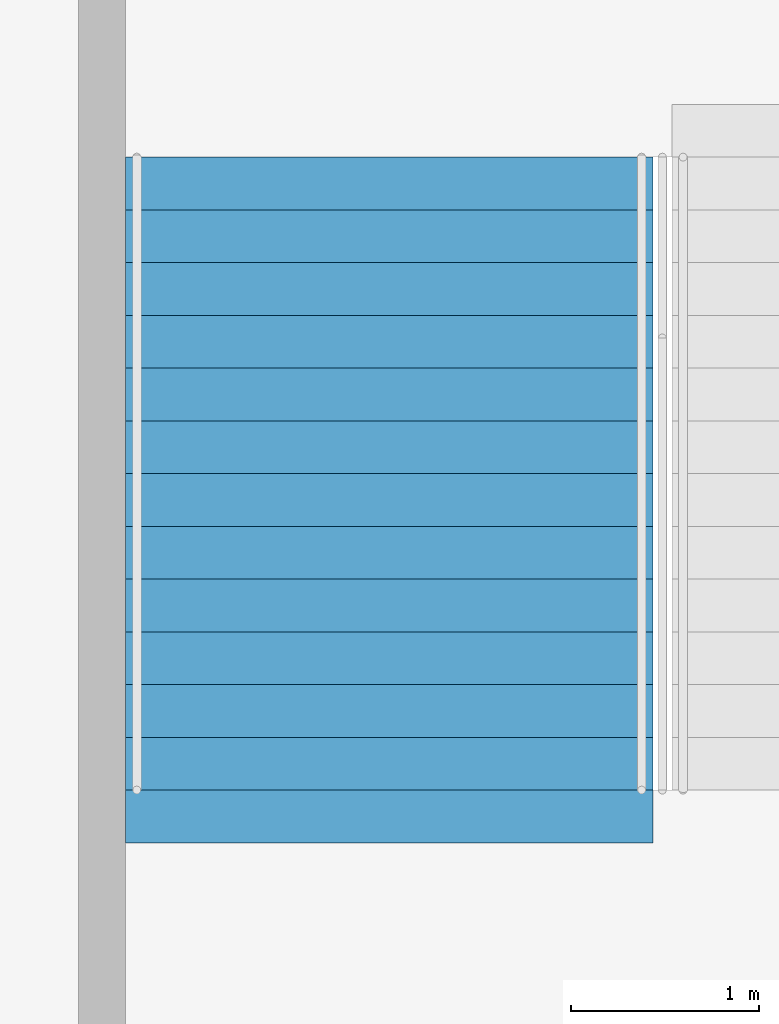
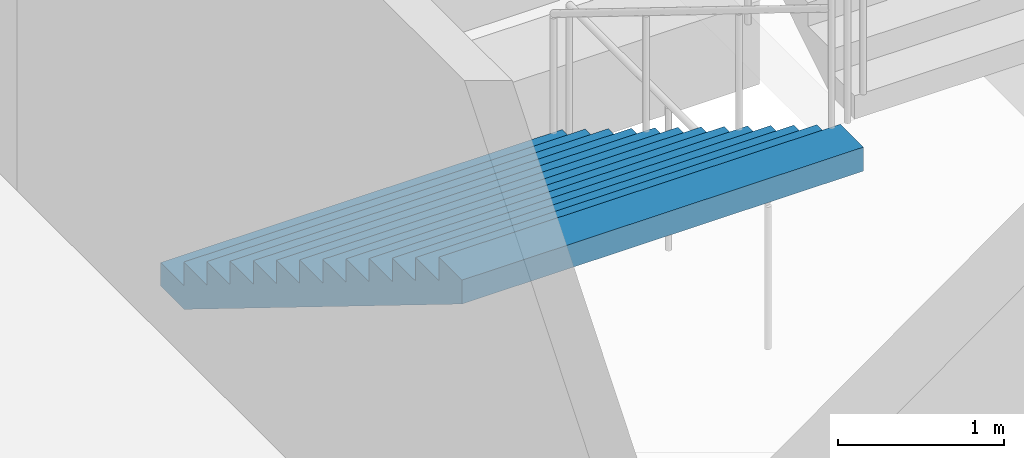
# One storey, part 51 of 175: 1 stair flight, 1 element without a shape of its own.
"""IFC4 building model written with IfcOpenShell, lengths in metres."""

from ifc_helpers import new_model, si_unit, direction, frame, origin, place, context, subcontext, project, spatial, faceted_brep, material, type_object, element, aggregate, save


model = new_model("IFC4")

# Units and contexts
model_context = context("Model", 3, precision=1e-05, world=origin(), true_north=direction((0.0, 1.0)))
body_context = subcontext(model_context, "Body", "Model", "MODEL_VIEW")
ifc_project = project(units=[si_unit("LENGTHUNIT", "METRE"), si_unit("AREAUNIT", "SQUARE_METRE"), si_unit("VOLUMEUNIT", "CUBIC_METRE"), si_unit("PLANEANGLEUNIT", "RADIAN"), si_unit("MASSUNIT", "GRAM", prefix="KILO")], contexts=[model_context])

# Site, building, storey
site_placement = place(None, origin())
site = spatial("IfcSite", under=ifc_project, at=site_placement, CompositionType="ELEMENT")
building_placement = place(site_placement, origin())
building = spatial("IfcBuilding", under=site, at=building_placement, Name="Ogive Plaza Stadium", CompositionType="ELEMENT")
storey_placement = place(building_placement, origin())
storey = spatial("IfcBuildingStorey", under=building, at=storey_placement, Name="L00", CompositionType="ELEMENT", Elevation=0.0)

# Stair, stair flight
ifc_material_1 = material(Name="Concrete C40/50", Category="concrete")
stair_type = type_object("IfcStairType", Name="Exit stair", PredefinedType="STRAIGHT_RUN_STAIR", material=ifc_material_1)
stair_placement = place(storey_placement, origin())
stair = element("IfcStair", 1, at=stair_placement, inside=storey, type_object=stair_type, Name="Exit stair ST16A L00 to L01", PredefinedType="STRAIGHT_RUN_STAIR")
ifc_material_2 = material(Name="Concrete C40/50", Category="concrete")
stair_flight_type = type_object("IfcStairFlightType", Name="Exit stair flight", PredefinedType="STRAIGHT", material=ifc_material_2)
stair_flight_placement = place(storey_placement, frame((-24.824951171875, -94.85009765625, 0.0), z_axis=(0.0, 0.0, 1.0), x_axis=(0.0, -1.0, 0.0)))
stair_flight = element("IfcStairFlight", 2, at=stair_flight_placement, type_object=stair_flight_type, Name="ST16A flight 1", NumberOfRisers=13, NumberOfTreads=12, PredefinedType="STRAIGHT", RiserHeight=0.173076923, TreadLength=0.28, context=body_context, shape_type="Brep", body=[
    faceted_brep([(0.28515625, -1.39990234375, 0.0), (3.639892578125, -1.39990234375, 2.07373046875), (3.639892578125, -1.39990234375, 2.25), (3.360107421875, -1.39990234375, 2.25), (3.360107421875, -1.39990234375, 2.076904296875), (3.080078125, -1.39990234375, 2.076904296875), (3.080078125, -1.39990234375, 1.90380859375), (2.800048828125, -1.39990234375, 1.90380859375), (2.800048828125, -1.39990234375, 1.730712890625), (2.52001953125, -1.39990234375, 1.730712890625), (2.52001953125, -1.39990234375, 1.5576171875), (2.239990234375, -1.39990234375, 1.5576171875), (2.239990234375, -1.39990234375, 1.384521484375), (1.9599609375, -1.39990234375, 1.384521484375), (1.9599609375, -1.39990234375, 1.21142578125), (1.679931640625, -1.39990234375, 1.21142578125), (1.679931640625, -1.39990234375, 1.03857421875), (1.39990234375, -1.39990234375, 1.03857421875), (1.39990234375, -1.39990234375, 0.865478515625), (1.1201171875, -1.39990234375, 0.865478515625), (1.1201171875, -1.39990234375, 0.6923828125), (0.840087890625, -1.39990234375, 0.6923828125), (0.840087890625, -1.39990234375, 0.519287109375), (0.56005859375, -1.39990234375, 0.519287109375), (0.56005859375, -1.39990234375, 0.34619140625), (0.280029296875, -1.39990234375, 0.34619140625), (0.280029296875, -1.39990234375, 0.173095703125), (0.0, -1.39990234375, 0.173095703125), (0.0, -1.39990234375, 0.0), (0.0, 1.39990234375, 0.0), (0.0, 1.39990234375, 0.173095703125), (0.280029296875, 1.39990234375, 0.173095703125), (0.280029296875, 1.39990234375, 0.34619140625), (0.56005859375, 1.39990234375, 0.34619140625), (0.56005859375, 1.39990234375, 0.519287109375), (0.840087890625, 1.39990234375, 0.519287109375), (0.840087890625, 1.39990234375, 0.6923828125), (1.1201171875, 1.39990234375, 0.6923828125), (1.1201171875, 1.39990234375, 0.865478515625), (1.39990234375, 1.39990234375, 0.865478515625), (1.39990234375, 1.39990234375, 1.03857421875), (1.679931640625, 1.39990234375, 1.03857421875), (1.679931640625, 1.39990234375, 1.21142578125), (1.9599609375, 1.39990234375, 1.21142578125), (1.9599609375, 1.39990234375, 1.384521484375), (2.239990234375, 1.39990234375, 1.384521484375), (2.239990234375, 1.39990234375, 1.5576171875), (2.52001953125, 1.39990234375, 1.5576171875), (2.52001953125, 1.39990234375, 1.730712890625), (2.800048828125, 1.39990234375, 1.730712890625), (2.800048828125, 1.39990234375, 1.90380859375), (3.080078125, 1.39990234375, 1.90380859375), (3.080078125, 1.39990234375, 2.076904296875), (3.360107421875, 1.39990234375, 2.076904296875), (3.360107421875, 1.39990234375, 2.25), (3.639892578125, 1.39990234375, 2.25), (3.639892578125, 1.39990234375, 2.07373046875), (0.28515625, 1.39990234375, 0.0), (0.28515625, -1.0888671875, 0.0), (3.639892578125, -1.0888671875, 2.07373046875), (0.28515625, -0.77783203125, 0.0), (3.639892578125, -0.77783203125, 2.07373046875), (0.28515625, -0.466796875, 0.0), (3.639892578125, -0.466796875, 2.07373046875), (0.28515625, -0.155517578125, 0.0), (3.639892578125, -0.155517578125, 2.07373046875), (0.28515625, 0.155517578125, 0.0), (3.639892578125, 0.155517578125, 2.07373046875), (0.28515625, 0.466796875, 0.0), (3.639892578125, 0.466796875, 2.07373046875), (0.28515625, 0.77783203125, 0.0), (3.639892578125, 0.77783203125, 2.07373046875), (0.28515625, 1.0888671875, 0.0), (3.639892578125, 1.0888671875, 2.07373046875), (3.639892578125, -1.0888671875, 2.25), (3.639892578125, -0.77783203125, 2.25), (3.639892578125, -0.466796875, 2.25), (3.639892578125, -0.155517578125, 2.25), (3.639892578125, 0.155517578125, 2.25), (3.639892578125, 0.466796875, 2.25), (3.639892578125, 0.77783203125, 2.25), (3.639892578125, 1.0888671875, 2.25), (3.360107421875, -1.0888671875, 2.25), (3.360107421875, -0.77783203125, 2.25), (3.360107421875, -0.466796875, 2.25), (3.360107421875, -0.155517578125, 2.25), (3.360107421875, 0.155517578125, 2.25), (3.360107421875, 0.466796875, 2.25), (3.360107421875, 0.77783203125, 2.25), (3.360107421875, 1.0888671875, 2.25), (3.360107421875, -1.0888671875, 2.076904296875), (3.360107421875, -0.77783203125, 2.076904296875), (3.360107421875, -0.466796875, 2.076904296875), (3.360107421875, -0.155517578125, 2.076904296875), (3.360107421875, 0.155517578125, 2.076904296875), (3.360107421875, 0.466796875, 2.076904296875), (3.360107421875, 0.77783203125, 2.076904296875), (3.360107421875, 1.0888671875, 2.076904296875), (3.080078125, -1.0888671875, 2.076904296875), (3.080078125, -0.77783203125, 2.076904296875), (3.080078125, -0.466796875, 2.076904296875), (3.080078125, -0.155517578125, 2.076904296875), (3.080078125, 0.155517578125, 2.076904296875), (3.080078125, 0.466796875, 2.076904296875), (3.080078125, 0.77783203125, 2.076904296875), (3.080078125, 1.0888671875, 2.076904296875), (3.080078125, -1.0888671875, 1.90380859375), (3.080078125, -0.77783203125, 1.90380859375), (3.080078125, -0.466796875, 1.90380859375), (3.080078125, -0.155517578125, 1.90380859375), (3.080078125, 0.155517578125, 1.90380859375), (3.080078125, 0.466796875, 1.90380859375), (3.080078125, 0.77783203125, 1.90380859375), (3.080078125, 1.0888671875, 1.90380859375), (2.800048828125, -1.0888671875, 1.90380859375), (2.800048828125, -0.77783203125, 1.90380859375), (2.800048828125, -0.466796875, 1.90380859375), (2.800048828125, -0.155517578125, 1.90380859375), (2.800048828125, 0.155517578125, 1.90380859375), (2.800048828125, 0.466796875, 1.90380859375), (2.800048828125, 0.77783203125, 1.90380859375), (2.800048828125, 1.0888671875, 1.90380859375), (2.800048828125, -1.0888671875, 1.730712890625), (2.800048828125, -0.77783203125, 1.730712890625), (2.800048828125, -0.466796875, 1.730712890625), (2.800048828125, -0.155517578125, 1.730712890625), (2.800048828125, 0.155517578125, 1.730712890625), (2.800048828125, 0.466796875, 1.730712890625), (2.800048828125, 0.77783203125, 1.730712890625), (2.800048828125, 1.0888671875, 1.730712890625), (2.52001953125, -1.0888671875, 1.730712890625), (2.52001953125, -0.77783203125, 1.730712890625), (2.52001953125, -0.466796875, 1.730712890625), (2.52001953125, -0.155517578125, 1.730712890625), (2.52001953125, 0.155517578125, 1.730712890625), (2.52001953125, 0.466796875, 1.730712890625), (2.52001953125, 0.77783203125, 1.730712890625), (2.52001953125, 1.0888671875, 1.730712890625), (2.52001953125, -1.0888671875, 1.5576171875), (2.52001953125, -0.77783203125, 1.5576171875), (2.52001953125, -0.466796875, 1.5576171875), (2.52001953125, -0.155517578125, 1.5576171875), (2.52001953125, 0.155517578125, 1.5576171875), (2.52001953125, 0.466796875, 1.5576171875), (2.52001953125, 0.77783203125, 1.5576171875), (2.52001953125, 1.0888671875, 1.5576171875), (2.239990234375, -1.0888671875, 1.5576171875), (2.239990234375, -0.77783203125, 1.5576171875), (2.239990234375, -0.466796875, 1.5576171875), (2.239990234375, -0.155517578125, 1.5576171875), (2.239990234375, 0.155517578125, 1.5576171875), (2.239990234375, 0.466796875, 1.5576171875), (2.239990234375, 0.77783203125, 1.5576171875), (2.239990234375, 1.0888671875, 1.5576171875), (2.239990234375, -1.0888671875, 1.384521484375), (2.239990234375, -0.77783203125, 1.384521484375), (2.239990234375, -0.466796875, 1.384521484375), (2.239990234375, -0.155517578125, 1.384521484375), (2.239990234375, 0.155517578125, 1.384521484375), (2.239990234375, 0.466796875, 1.384521484375), (2.239990234375, 0.77783203125, 1.384521484375), (2.239990234375, 1.0888671875, 1.384521484375), (1.9599609375, -1.0888671875, 1.384521484375), (1.9599609375, -0.77783203125, 1.384521484375), (1.9599609375, -0.466796875, 1.384521484375), (1.9599609375, -0.155517578125, 1.384521484375), (1.9599609375, 0.155517578125, 1.384521484375), (1.9599609375, 0.466796875, 1.384521484375), (1.9599609375, 0.77783203125, 1.384521484375), (1.9599609375, 1.0888671875, 1.384521484375), (1.9599609375, -1.0888671875, 1.21142578125), (1.9599609375, -0.77783203125, 1.21142578125), (1.9599609375, -0.466796875, 1.21142578125), (1.9599609375, -0.155517578125, 1.21142578125), (1.9599609375, 0.155517578125, 1.21142578125), (1.9599609375, 0.466796875, 1.21142578125), (1.9599609375, 0.77783203125, 1.21142578125), (1.9599609375, 1.0888671875, 1.21142578125), (1.679931640625, -1.0888671875, 1.21142578125), (1.679931640625, -0.77783203125, 1.21142578125), (1.679931640625, -0.466796875, 1.21142578125), (1.679931640625, -0.155517578125, 1.21142578125), (1.679931640625, 0.155517578125, 1.21142578125), (1.679931640625, 0.466796875, 1.21142578125), (1.679931640625, 0.77783203125, 1.21142578125), (1.679931640625, 1.0888671875, 1.21142578125), (1.679931640625, -1.0888671875, 1.03857421875), (1.679931640625, -0.77783203125, 1.03857421875), (1.679931640625, -0.466796875, 1.03857421875), (1.679931640625, -0.155517578125, 1.03857421875), (1.679931640625, 0.155517578125, 1.03857421875), (1.679931640625, 0.466796875, 1.03857421875), (1.679931640625, 0.77783203125, 1.03857421875), (1.679931640625, 1.0888671875, 1.03857421875), (1.39990234375, -1.0888671875, 1.03857421875), (1.39990234375, -0.77783203125, 1.03857421875), (1.39990234375, -0.466796875, 1.03857421875), (1.39990234375, -0.155517578125, 1.03857421875), (1.39990234375, 0.155517578125, 1.03857421875), (1.39990234375, 0.466796875, 1.03857421875), (1.39990234375, 0.77783203125, 1.03857421875), (1.39990234375, 1.0888671875, 1.03857421875), (1.39990234375, -1.0888671875, 0.865478515625), (1.39990234375, -0.77783203125, 0.865478515625), (1.39990234375, -0.466796875, 0.865478515625), (1.39990234375, -0.155517578125, 0.865478515625), (1.39990234375, 0.155517578125, 0.865478515625), (1.39990234375, 0.466796875, 0.865478515625), (1.39990234375, 0.77783203125, 0.865478515625), (1.39990234375, 1.0888671875, 0.865478515625), (1.1201171875, -1.0888671875, 0.865478515625), (1.1201171875, -0.77783203125, 0.865478515625), (1.1201171875, -0.466796875, 0.865478515625), (1.1201171875, -0.155517578125, 0.865478515625), (1.1201171875, 0.155517578125, 0.865478515625), (1.1201171875, 0.466796875, 0.865478515625), (1.1201171875, 0.77783203125, 0.865478515625), (1.1201171875, 1.0888671875, 0.865478515625), (1.1201171875, -1.0888671875, 0.6923828125), (1.1201171875, -0.77783203125, 0.6923828125), (1.1201171875, -0.466796875, 0.6923828125), (1.1201171875, -0.155517578125, 0.6923828125), (1.1201171875, 0.155517578125, 0.6923828125), (1.1201171875, 0.466796875, 0.6923828125), (1.1201171875, 0.77783203125, 0.6923828125), (1.1201171875, 1.0888671875, 0.6923828125), (0.840087890625, -1.0888671875, 0.6923828125), (0.840087890625, -0.77783203125, 0.6923828125), (0.840087890625, -0.466796875, 0.6923828125), (0.840087890625, -0.155517578125, 0.6923828125), (0.840087890625, 0.155517578125, 0.6923828125), (0.840087890625, 0.466796875, 0.6923828125), (0.840087890625, 0.77783203125, 0.6923828125), (0.840087890625, 1.0888671875, 0.6923828125), (0.840087890625, -1.0888671875, 0.519287109375), (0.840087890625, -0.77783203125, 0.519287109375), (0.840087890625, -0.466796875, 0.519287109375), (0.840087890625, -0.155517578125, 0.519287109375), (0.840087890625, 0.155517578125, 0.519287109375), (0.840087890625, 0.466796875, 0.519287109375), (0.840087890625, 0.77783203125, 0.519287109375), (0.840087890625, 1.0888671875, 0.519287109375), (0.56005859375, -1.0888671875, 0.519287109375), (0.56005859375, -0.77783203125, 0.519287109375), (0.56005859375, -0.466796875, 0.519287109375), (0.56005859375, -0.155517578125, 0.519287109375), (0.56005859375, 0.155517578125, 0.519287109375), (0.56005859375, 0.466796875, 0.519287109375), (0.56005859375, 0.77783203125, 0.519287109375), (0.56005859375, 1.0888671875, 0.519287109375), (0.56005859375, -1.0888671875, 0.34619140625), (0.56005859375, -0.77783203125, 0.34619140625), (0.56005859375, -0.466796875, 0.34619140625), (0.56005859375, -0.155517578125, 0.34619140625), (0.56005859375, 0.155517578125, 0.34619140625), (0.56005859375, 0.466796875, 0.34619140625), (0.56005859375, 0.77783203125, 0.34619140625), (0.56005859375, 1.0888671875, 0.34619140625), (0.280029296875, -1.0888671875, 0.34619140625), (0.280029296875, -0.77783203125, 0.34619140625), (0.280029296875, -0.466796875, 0.34619140625), (0.280029296875, -0.155517578125, 0.34619140625), (0.280029296875, 0.155517578125, 0.34619140625), (0.280029296875, 0.466796875, 0.34619140625), (0.280029296875, 0.77783203125, 0.34619140625), (0.280029296875, 1.0888671875, 0.34619140625), (0.280029296875, -1.0888671875, 0.173095703125), (0.280029296875, -0.77783203125, 0.173095703125), (0.280029296875, -0.466796875, 0.173095703125), (0.280029296875, -0.155517578125, 0.173095703125), (0.280029296875, 0.155517578125, 0.173095703125), (0.280029296875, 0.466796875, 0.173095703125), (0.280029296875, 0.77783203125, 0.173095703125), (0.280029296875, 1.0888671875, 0.173095703125), (0.0, -1.0888671875, 0.173095703125), (0.0, -0.77783203125, 0.173095703125), (0.0, -0.466796875, 0.173095703125), (0.0, -0.155517578125, 0.173095703125), (0.0, 0.155517578125, 0.173095703125), (0.0, 0.466796875, 0.173095703125), (0.0, 0.77783203125, 0.173095703125), (0.0, 1.0888671875, 0.173095703125), (0.0, -1.0888671875, 0.0), (0.0, -0.77783203125, 0.0), (0.0, -0.466796875, 0.0), (0.0, -0.155517578125, 0.0), (0.0, 0.155517578125, 0.0), (0.0, 0.466796875, 0.0), (0.0, 0.77783203125, 0.0), (0.0, 1.0888671875, 0.0)], [[[0, 1, 2, 3, 4, 5, 6, 7, 8, 9, 10, 11, 12, 13, 14, 15, 16, 17, 18, 19, 20, 21, 22, 23, 24, 25, 26, 27, 28]], [[29, 30, 31, 32, 33, 34, 35, 36, 37, 38, 39, 40, 41, 42, 43, 44, 45, 46, 47, 48, 49, 50, 51, 52, 53, 54, 55, 56, 57]], [[0, 58, 59, 1]], [[58, 60, 61, 59]], [[60, 62, 63, 61]], [[62, 64, 65, 63]], [[64, 66, 67, 65]], [[66, 68, 69, 67]], [[68, 70, 71, 69]], [[70, 72, 73, 71]], [[72, 57, 56, 73]], [[1, 59, 74, 2]], [[59, 61, 75, 74]], [[61, 63, 76, 75]], [[63, 65, 77, 76]], [[65, 67, 78, 77]], [[67, 69, 79, 78]], [[69, 71, 80, 79]], [[71, 73, 81, 80]], [[73, 56, 55, 81]], [[2, 74, 82, 3]], [[74, 75, 83, 82]], [[75, 76, 84, 83]], [[76, 77, 85, 84]], [[77, 78, 86, 85]], [[78, 79, 87, 86]], [[79, 80, 88, 87]], [[80, 81, 89, 88]], [[81, 55, 54, 89]], [[3, 82, 90, 4]], [[82, 83, 91, 90]], [[83, 84, 92, 91]], [[84, 85, 93, 92]], [[85, 86, 94, 93]], [[86, 87, 95, 94]], [[87, 88, 96, 95]], [[88, 89, 97, 96]], [[89, 54, 53, 97]], [[4, 90, 98, 5]], [[90, 91, 99, 98]], [[91, 92, 100, 99]], [[92, 93, 101, 100]], [[93, 94, 102, 101]], [[94, 95, 103, 102]], [[95, 96, 104, 103]], [[96, 97, 105, 104]], [[97, 53, 52, 105]], [[5, 98, 106, 6]], [[98, 99, 107, 106]], [[99, 100, 108, 107]], [[100, 101, 109, 108]], [[101, 102, 110, 109]], [[102, 103, 111, 110]], [[103, 104, 112, 111]], [[104, 105, 113, 112]], [[105, 52, 51, 113]], [[6, 106, 114, 7]], [[106, 107, 115, 114]], [[107, 108, 116, 115]], [[108, 109, 117, 116]], [[109, 110, 118, 117]], [[110, 111, 119, 118]], [[111, 112, 120, 119]], [[112, 113, 121, 120]], [[113, 51, 50, 121]], [[7, 114, 122, 8]], [[114, 115, 123, 122]], [[115, 116, 124, 123]], [[116, 117, 125, 124]], [[117, 118, 126, 125]], [[118, 119, 127, 126]], [[119, 120, 128, 127]], [[120, 121, 129, 128]], [[121, 50, 49, 129]], [[8, 122, 130, 9]], [[122, 123, 131, 130]], [[123, 124, 132, 131]], [[124, 125, 133, 132]], [[125, 126, 134, 133]], [[126, 127, 135, 134]], [[127, 128, 136, 135]], [[128, 129, 137, 136]], [[129, 49, 48, 137]], [[9, 130, 138, 10]], [[130, 131, 139, 138]], [[131, 132, 140, 139]], [[132, 133, 141, 140]], [[133, 134, 142, 141]], [[134, 135, 143, 142]], [[135, 136, 144, 143]], [[136, 137, 145, 144]], [[137, 48, 47, 145]], [[10, 138, 146, 11]], [[138, 139, 147, 146]], [[139, 140, 148, 147]], [[140, 141, 149, 148]], [[141, 142, 150, 149]], [[142, 143, 151, 150]], [[143, 144, 152, 151]], [[144, 145, 153, 152]], [[145, 47, 46, 153]], [[11, 146, 154, 12]], [[146, 147, 155, 154]], [[147, 148, 156, 155]], [[148, 149, 157, 156]], [[149, 150, 158, 157]], [[150, 151, 159, 158]], [[151, 152, 160, 159]], [[152, 153, 161, 160]], [[153, 46, 45, 161]], [[12, 154, 162, 13]], [[154, 155, 163, 162]], [[155, 156, 164, 163]], [[156, 157, 165, 164]], [[157, 158, 166, 165]], [[158, 159, 167, 166]], [[159, 160, 168, 167]], [[160, 161, 169, 168]], [[161, 45, 44, 169]], [[13, 162, 170, 14]], [[162, 163, 171, 170]], [[163, 164, 172, 171]], [[164, 165, 173, 172]], [[165, 166, 174, 173]], [[166, 167, 175, 174]], [[167, 168, 176, 175]], [[168, 169, 177, 176]], [[169, 44, 43, 177]], [[14, 170, 178, 15]], [[170, 171, 179, 178]], [[171, 172, 180, 179]], [[172, 173, 181, 180]], [[173, 174, 182, 181]], [[174, 175, 183, 182]], [[175, 176, 184, 183]], [[176, 177, 185, 184]], [[177, 43, 42, 185]], [[15, 178, 186, 16]], [[178, 179, 187, 186]], [[179, 180, 188, 187]], [[180, 181, 189, 188]], [[181, 182, 190, 189]], [[182, 183, 191, 190]], [[183, 184, 192, 191]], [[184, 185, 193, 192]], [[185, 42, 41, 193]], [[16, 186, 194, 17]], [[186, 187, 195, 194]], [[187, 188, 196, 195]], [[188, 189, 197, 196]], [[189, 190, 198, 197]], [[190, 191, 199, 198]], [[191, 192, 200, 199]], [[192, 193, 201, 200]], [[193, 41, 40, 201]], [[17, 194, 202, 18]], [[194, 195, 203, 202]], [[195, 196, 204, 203]], [[196, 197, 205, 204]], [[197, 198, 206, 205]], [[198, 199, 207, 206]], [[199, 200, 208, 207]], [[200, 201, 209, 208]], [[201, 40, 39, 209]], [[18, 202, 210, 19]], [[202, 203, 211, 210]], [[203, 204, 212, 211]], [[204, 205, 213, 212]], [[205, 206, 214, 213]], [[206, 207, 215, 214]], [[207, 208, 216, 215]], [[208, 209, 217, 216]], [[209, 39, 38, 217]], [[19, 210, 218, 20]], [[210, 211, 219, 218]], [[211, 212, 220, 219]], [[212, 213, 221, 220]], [[213, 214, 222, 221]], [[214, 215, 223, 222]], [[215, 216, 224, 223]], [[216, 217, 225, 224]], [[217, 38, 37, 225]], [[20, 218, 226, 21]], [[218, 219, 227, 226]], [[219, 220, 228, 227]], [[220, 221, 229, 228]], [[221, 222, 230, 229]], [[222, 223, 231, 230]], [[223, 224, 232, 231]], [[224, 225, 233, 232]], [[225, 37, 36, 233]], [[21, 226, 234, 22]], [[226, 227, 235, 234]], [[227, 228, 236, 235]], [[228, 229, 237, 236]], [[229, 230, 238, 237]], [[230, 231, 239, 238]], [[231, 232, 240, 239]], [[232, 233, 241, 240]], [[233, 36, 35, 241]], [[22, 234, 242, 23]], [[234, 235, 243, 242]], [[235, 236, 244, 243]], [[236, 237, 245, 244]], [[237, 238, 246, 245]], [[238, 239, 247, 246]], [[239, 240, 248, 247]], [[240, 241, 249, 248]], [[241, 35, 34, 249]], [[23, 242, 250, 24]], [[242, 243, 251, 250]], [[243, 244, 252, 251]], [[244, 245, 253, 252]], [[245, 246, 254, 253]], [[246, 247, 255, 254]], [[247, 248, 256, 255]], [[248, 249, 257, 256]], [[249, 34, 33, 257]], [[24, 250, 258, 25]], [[250, 251, 259, 258]], [[251, 252, 260, 259]], [[252, 253, 261, 260]], [[253, 254, 262, 261]], [[254, 255, 263, 262]], [[255, 256, 264, 263]], [[256, 257, 265, 264]], [[257, 33, 32, 265]], [[25, 258, 266, 26]], [[258, 259, 267, 266]], [[259, 260, 268, 267]], [[260, 261, 269, 268]], [[261, 262, 270, 269]], [[262, 263, 271, 270]], [[263, 264, 272, 271]], [[264, 265, 273, 272]], [[265, 32, 31, 273]], [[26, 266, 274, 27]], [[266, 267, 275, 274]], [[267, 268, 276, 275]], [[268, 269, 277, 276]], [[269, 270, 278, 277]], [[270, 271, 279, 278]], [[271, 272, 280, 279]], [[272, 273, 281, 280]], [[273, 31, 30, 281]], [[27, 274, 282, 28]], [[274, 275, 283, 282]], [[275, 276, 284, 283]], [[276, 277, 285, 284]], [[277, 278, 286, 285]], [[278, 279, 287, 286]], [[279, 280, 288, 287]], [[280, 281, 289, 288]], [[281, 30, 29, 289]], [[28, 282, 58, 0]], [[282, 283, 60, 58]], [[283, 284, 62, 60]], [[284, 285, 64, 62]], [[285, 286, 66, 64]], [[286, 287, 68, 66]], [[287, 288, 70, 68]], [[288, 289, 72, 70]], [[289, 29, 57, 72]]]),
])
aggregate(stair, [stair_flight])

save(model, "model.ifc")
